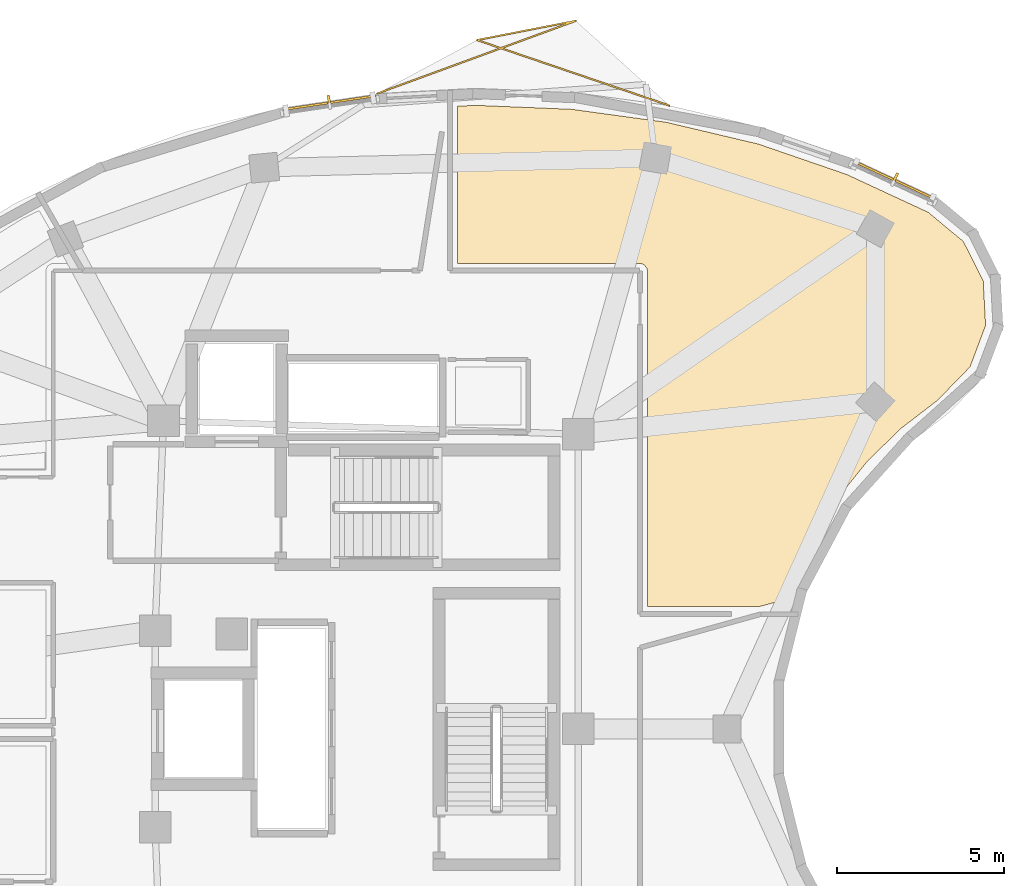
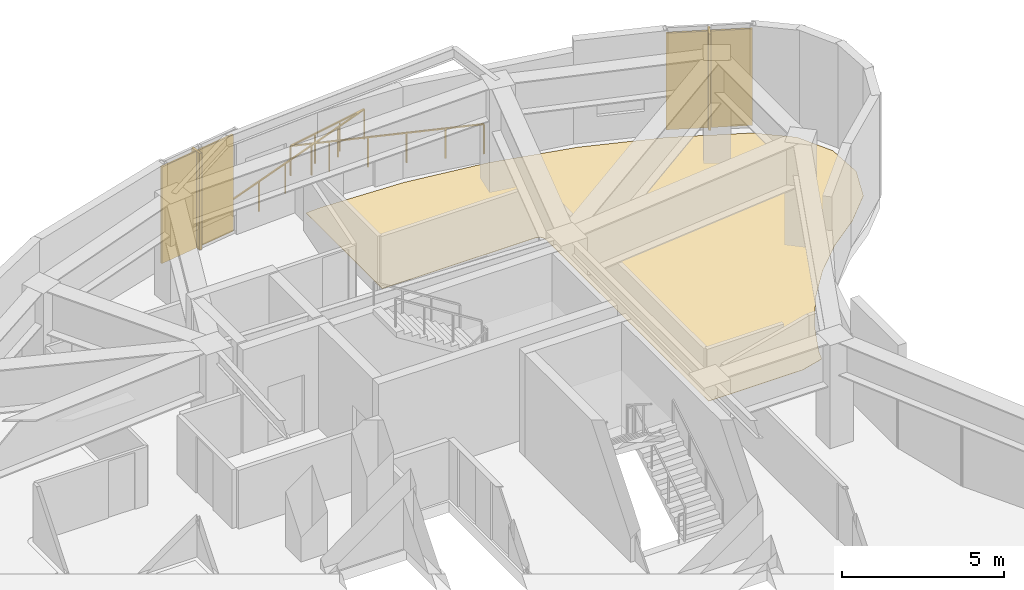
# One storey, part 12 of 12: 4 shading devices, 1 covering, 1 railing.
"""IFC4 building model written with IfcOpenShell, lengths in metres."""

from ifc_helpers import new_model, si_unit, direction, frame, origin, origin_2d, place, context, subcontext, project, spatial, polyline, rectangle, outline, extrude, material, layer, layer_set, type_object, element, save


model = new_model("IFC4")

# Units and contexts
model_context = context("Model", 3, precision=1e-05, world=origin(), true_north=direction((0.0, 1.0)))
body_context = subcontext(model_context, "Body", "Model", "MODEL_VIEW")
ifc_project = project(units=[si_unit("LENGTHUNIT", "METRE"), si_unit("AREAUNIT", "SQUARE_METRE"), si_unit("VOLUMEUNIT", "CUBIC_METRE"), si_unit("PLANEANGLEUNIT", "RADIAN"), si_unit("MASSUNIT", "GRAM", prefix="KILO")], contexts=[model_context])

# Site, building, storey
site_placement = place(None, origin())
site = spatial("IfcSite", under=ifc_project, at=site_placement, CompositionType="ELEMENT")
building_placement = place(site_placement, origin())
building = spatial("IfcBuilding", under=site, at=building_placement, Name="Korentha Bioscience Tower", CompositionType="ELEMENT")
storey_placement = place(building_placement, frame((0.0, 0.0, 286.800048828125)))
storey = spatial("IfcBuildingStorey", under=building, at=storey_placement, Name="L66", CompositionType="ELEMENT", Elevation=286.800048828125)

# Railing
ifc_material_1 = material(Name="Laminated Tempered Safety Glass", Category="glass")
railing_type = type_object("IfcRailingType", Name="Laminated Glass Balcony Guardrail 1150", PredefinedType="BALUSTRADE", material=ifc_material_1)
railing_placement = place(storey_placement, frame((40.291015625, 45.715576171875, 0.0)))
element("IfcRailing", 1, at=railing_placement, inside=storey, type_object=railing_type, Name="L66 Balcony Guardrail 01", PredefinedType="BALUSTRADE", context=body_context, shape_type="SweptSolid", body=[
    extrude(rectangle(XDim=0.048095703125, YDim=0.048095703125, at=origin_2d()), frame((0.0, 0.0, 1.1259765625), z_axis=(-0.946655878347, 0.322246253649, 0.0), x_axis=(-0.322246253649, -0.946655878347, 0.0)), (0.0, 0.0, 1.0), 6.1025390625),
    extrude(rectangle(XDim=0.048095703125, YDim=0.048095703125, at=origin_2d()), frame((-5.777099609375, 1.966552734375, 1.1259765625), z_axis=(0.981507621424, 0.191423063099, 0.0), x_axis=(-0.191423063099, 0.981507621424, 0.0)), (0.0, 0.0, 1.0), 3.022705078125),
    extrude(rectangle(XDim=0.048095703125, YDim=0.048095703125, at=origin_2d()), frame((-2.810302734375, 2.545166015625, 1.1259765625), z_axis=(-0.9389802492, -0.343971062174, 0.0), x_axis=(0.343971062174, -0.9389802492, 0.0)), (0.0, 0.0, 1.0), 6.349609375),
    extrude(rectangle(XDim=0.0419921875, YDim=0.0419921875, at=origin_2d()), origin(), (0.0, 0.0, 1.0), 1.101806640625),
    extrude(rectangle(XDim=0.0419921875, YDim=0.0419921875, at=origin_2d()), frame((-1.155517578125, 0.393310546875, 0.0)), (0.0, 0.0, 1.0), 1.101806640625),
    extrude(rectangle(XDim=0.0419921875, YDim=0.0419921875, at=origin_2d()), frame((-2.310791015625, 0.78662109375, 0.0)), (0.0, 0.0, 1.0), 1.101806640625),
    extrude(rectangle(XDim=0.0419921875, YDim=0.0419921875, at=origin_2d()), frame((-3.46630859375, 1.179931640625, 0.0)), (0.0, 0.0, 1.0), 1.101806640625),
    extrude(rectangle(XDim=0.0419921875, YDim=0.0419921875, at=origin_2d()), frame((-4.62158203125, 1.5732421875, 0.0)), (0.0, 0.0, 1.0), 1.101806640625),
    extrude(rectangle(XDim=0.0419921875, YDim=0.0419921875, at=origin_2d()), frame((-5.777099609375, 1.966552734375, 0.0)), (0.0, 0.0, 1.0), 1.101806640625),
    extrude(rectangle(XDim=0.0419921875, YDim=0.0419921875, at=origin_2d()), frame((-4.7880859375, 2.159423828125, 0.0)), (0.0, 0.0, 1.0), 1.101806640625),
    extrude(rectangle(XDim=0.0419921875, YDim=0.0419921875, at=origin_2d()), frame((-3.79931640625, 2.352294921875, 0.0)), (0.0, 0.0, 1.0), 1.101806640625),
    extrude(rectangle(XDim=0.0419921875, YDim=0.0419921875, at=origin_2d()), frame((-2.810302734375, 2.545166015625, 0.0)), (0.0, 0.0, 1.0), 1.101806640625),
    extrude(rectangle(XDim=0.0419921875, YDim=0.0419921875, at=origin_2d()), frame((-4.002685546875, 2.1083984375, 0.0)), (0.0, 0.0, 1.0), 1.101806640625),
    extrude(rectangle(XDim=0.0419921875, YDim=0.0419921875, at=origin_2d()), frame((-5.195068359375, 1.671630859375, 0.0)), (0.0, 0.0, 1.0), 1.101806640625),
    extrude(rectangle(XDim=0.0419921875, YDim=0.0419921875, at=origin_2d()), frame((-6.3876953125, 1.234619140625, 0.0)), (0.0, 0.0, 1.0), 1.101806640625),
    extrude(rectangle(XDim=0.0419921875, YDim=0.0419921875, at=origin_2d()), frame((-7.580078125, 0.7978515625, 0.0)), (0.0, 0.0, 1.0), 1.101806640625),
    extrude(rectangle(XDim=0.0419921875, YDim=0.0419921875, at=origin_2d()), frame((-8.7724609375, 0.361083984375, 0.0)), (0.0, 0.0, 1.0), 1.101806640625),
])

# Shading devices
ifc_material_2 = material(Name="Perforated Stone-Ceramic Composite", Category="masonry")
ifc_layer_1 = layer(ifc_material_2, 0.06494140625, Name="Perforated Stone-Ceramic Composite")
ifc_layer_set_1 = layer_set([ifc_layer_1], Name="Perforated Stone-Ceramic Composite (CS-01)")
shading_device_type_1 = type_object("IfcShadingDeviceType", Name="Perforated Stone-Ceramic Solar Screen Panel 65", PredefinedType="USERDEFINED", material=ifc_layer_set_1)
shading_device_1_placement = place(storey_placement, frame((47.04443359375, 43.478759765625, 0.0), z_axis=(0.0, 0.0, 1.0), x_axis=(-0.907204022278, 0.420690934016, 0.0)))
element("IfcShadingDevice", 2, at=shading_device_1_placement, inside=storey, type_object=shading_device_type_1, Name="CW-L66-01 Perforated Stone-Ceramic Solar Screen", ObjectType="SCREEN", PredefinedType="USERDEFINED", context=body_context, shape_type="SweptSolid", body=[
    extrude(rectangle(XDim=2.69287109375, YDim=0.06494140625, at=origin_2d()), origin(), (0.0, 0.0, 1.0), 3.64990234375),
])
shading_device_2_placement = place(storey_placement, frame((30.082275390625, 45.80126953125, 0.0), z_axis=(0.0, 0.0, 1.0), x_axis=(-0.98900659611, -0.147871406471, 0.0)))
element("IfcShadingDevice", 3, at=shading_device_2_placement, inside=storey, type_object=shading_device_type_1, Name="CW-L66-07 Perforated Stone-Ceramic Solar Screen", ObjectType="SCREEN", PredefinedType="USERDEFINED", context=body_context, shape_type="SweptSolid", body=[
    extrude(rectangle(XDim=2.822509765625, YDim=0.06494140625, at=origin_2d()), origin(), (0.0, 0.0, 1.0), 3.64990234375),
])

# Covering
ifc_material_3 = material(Name="Chemical-Resistant Epoxy Resin", Category="polymer")
ifc_layer_2 = layer(ifc_material_3, 0.011962890625, Name="Chemical-Resistant Epoxy Resin")
ifc_layer_set_2 = layer_set([ifc_layer_2], Name="Chemical-Resistant Epoxy Resin (FL-EPX)")
covering_type = type_object("IfcCoveringType", Name="Seamless Epoxy Laboratory Flooring 12", PredefinedType="FLOORING", material=ifc_layer_set_2)
covering_placement = place(storey_placement, origin())
element("IfcCovering", 4, at=covering_placement, inside=storey, type_object=covering_type, Name="L66 Bio-Printing Tissue Engineering Lab 07 Floor Finish", PredefinedType="FLOORING", context=body_context, shape_type="SweptSolid", body=[
    extrude(outline(polyline([(34.45703125, 45.722900390625), (37.346923828125, 45.60400390625), (40.197265625, 45.213623046875), (42.9658203125, 44.55810546875), (45.61181640625, 43.647216796875), (48.061279296875, 42.510986328125), (49.115966796875, 41.634765625), (49.713134765625, 40.4453125), (49.783935546875, 39.1162109375), (49.31640625, 37.8701171875), (48.340087890625, 36.865966796875), (47.22412109375, 36.006591796875), (46.21826171875, 35.018310546875), (45.306884765625, 33.87890625), (44.5166015625, 32.591064453125), (43.930419921875, 31.304931640625), (43.79638671875, 30.890380859375), (42.98876953125, 30.672119140625), (39.6298828125, 30.672119140625), (39.6298828125, 40.75), (39.61669921875, 40.826904296875), (39.537353515625, 40.934326171875), (39.410888671875, 40.979736328125), (33.922119140625, 40.97998046875), (33.922119140625, 45.6943359375), (34.45703125, 45.722900390625)])), origin(), (0.0, 0.0, 1.0), 0.011962890625),
])

# Shading devices
ifc_material_4 = material(Name="Honed Travertine Limestone", Category="masonry")
ifc_layer_3 = layer(ifc_material_4, 0.080078125, Name="Honed Travertine Limestone")
ifc_layer_set_3 = layer_set([ifc_layer_3], Name="Honed Travertine Limestone (CS-02)")
shading_device_type_2 = type_object("IfcShadingDeviceType", Name="Vertical Honed Limestone Sunshade Fin 80x420", PredefinedType="USERDEFINED", material=ifc_layer_set_3)
for number, where, z_axis, x_axis, name in (
    (5, (47.052734375, 43.496826171875, 0.0), (0.0, 0.0, 1.0), (-0.907204022278, 0.420690934016, 0.0), "CW-L66-01 Limestone Sunshade Fin"),
    (6, (30.079345703125, 45.821044921875, 0.0), (0.0, 0.0, 1.0), (-0.98900659611, -0.147871406471, 0.0), "CW-L66-07 Limestone Sunshade Fin"),
):
    element("IfcShadingDevice", number, at=place(storey_placement, frame(where, z_axis=z_axis, x_axis=x_axis)), inside=storey, type_object=shading_device_type_2, Name=name, ObjectType="SCREEN", PredefinedType="USERDEFINED", context=body_context, shape_type="SweptSolid", body=[
        extrude(rectangle(XDim=0.080078125, YDim=0.419921875, at=origin_2d()), origin(), (0.0, 0.0, 1.0), 3.64990234375),
    ])

save(model, "model.ifc")
